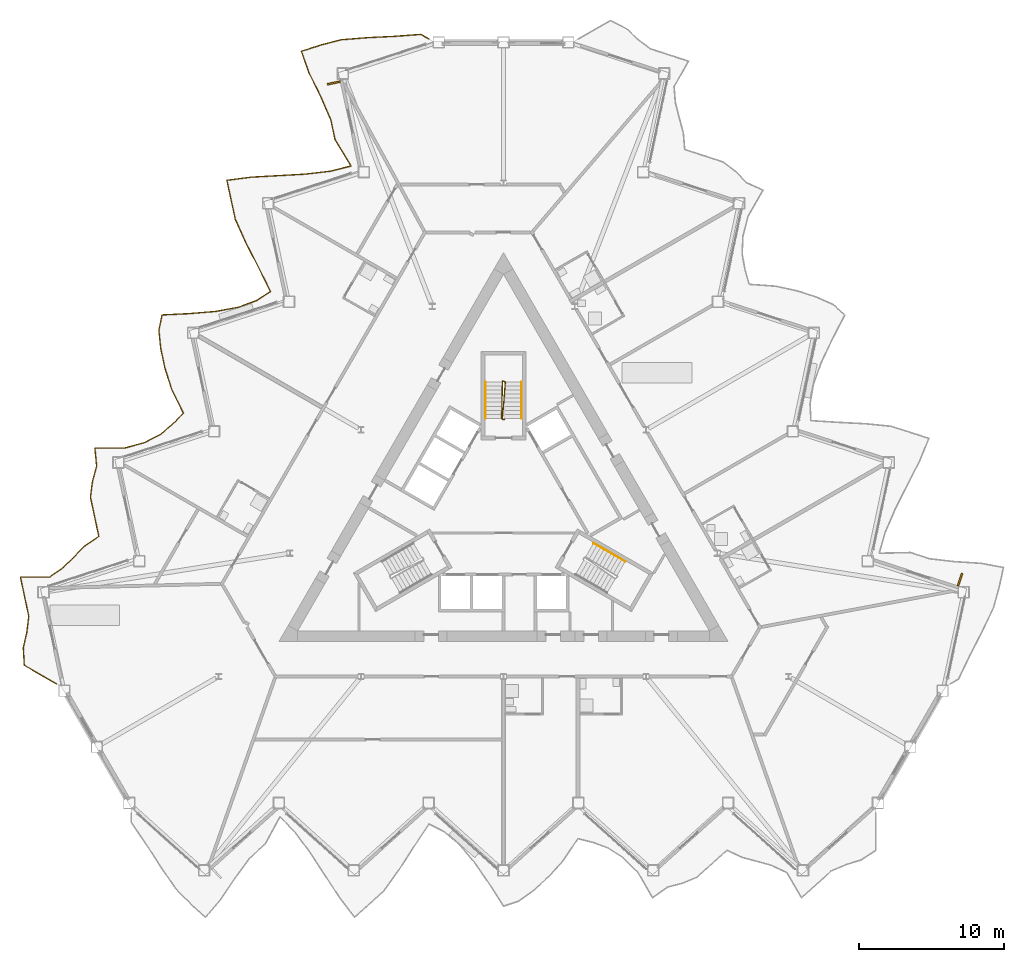
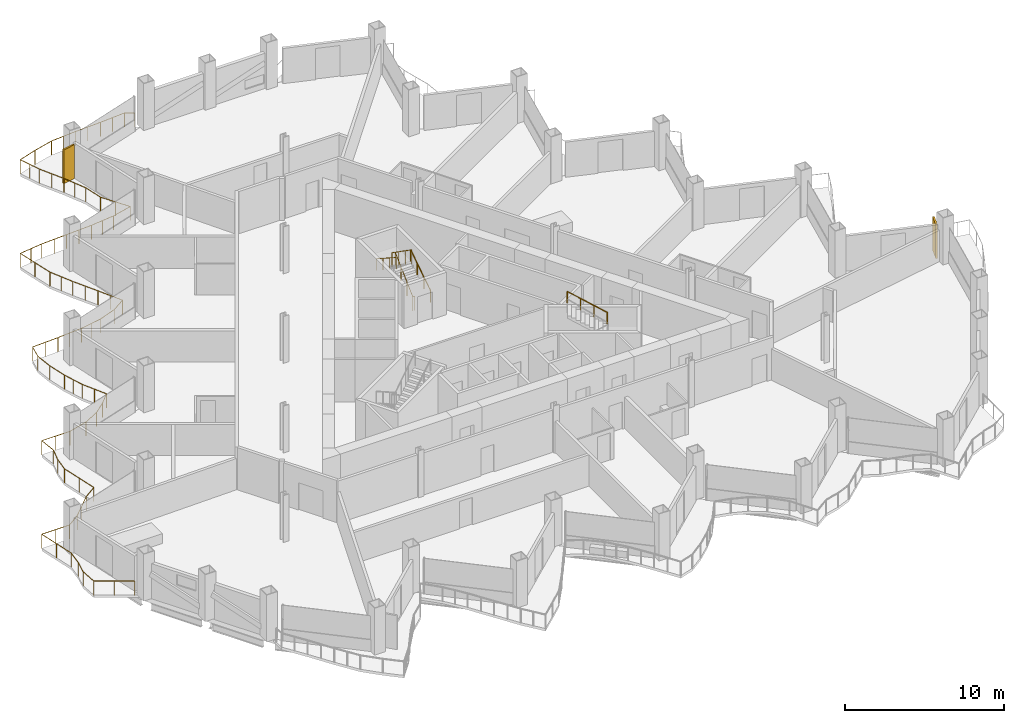
# One storey, part 19 of 22: 5 railings, 2 shading devices.
"""IFC4 building model written with IfcOpenShell, lengths in metres."""

from ifc_helpers import new_model, si_unit, direction, frame, origin, origin_2d, place, context, subcontext, project, spatial, rectangle, circle, extrude, material, layer, layer_set, type_object, element, save


model = new_model("IFC4")

# Units and contexts
model_context = context("Model", 3, precision=1e-05, world=origin(), true_north=direction((0.0, 1.0)))
body_context = subcontext(model_context, "Body", "Model", "MODEL_VIEW")
ifc_project = project(units=[si_unit("LENGTHUNIT", "METRE"), si_unit("AREAUNIT", "SQUARE_METRE"), si_unit("VOLUMEUNIT", "CUBIC_METRE"), si_unit("PLANEANGLEUNIT", "RADIAN"), si_unit("MASSUNIT", "GRAM", prefix="KILO")], contexts=[model_context])

# Site, building, storey
site_placement = place(None, origin())
site = spatial("IfcSite", under=ifc_project, at=site_placement, CompositionType="ELEMENT")
building_placement = place(site_placement, origin())
building = spatial("IfcBuilding", under=site, at=building_placement, Name="Cormorant Prow Tower", CompositionType="ELEMENT")
storey_placement = place(building_placement, frame((0.0, 0.0, 198.0)))
storey = spatial("IfcBuildingStorey", under=building, at=storey_placement, Name="L43", CompositionType="ELEMENT", Elevation=198.0)

# Railings
ifc_material_1 = material(Name="Aluminium 6063-T6", Category="aluminium")
railing_type_1 = type_object("IfcRailingType", Name="Balcony guard 1100", PredefinedType="GUARDRAIL", material=ifc_material_1)
railing_1_placement = place(storey_placement, frame((-5.148681640625, 32.639892578125, 0.0)))
element("IfcRailing", 1, at=railing_1_placement, inside=storey, type_object=railing_type_1, Name="Balcony guard WNW", PredefinedType="GUARDRAIL", context=body_context, shape_type="SweptSolid", body=[
    extrude(circle(Radius=0.02392578125, at=origin_2d()), frame((0.0, 0.0, 1.076171875), z_axis=(-0.866038622153, 0.499977104415, 0.0), x_axis=(-0.499977104415, -0.866038622153, 0.0)), (0.0, 0.0, 1.0), 0.63623046875),
    extrude(circle(Radius=0.02392578125, at=origin_2d()), frame((-0.551025390625, 0.318115234375, 1.076171875), z_axis=(-0.997242522475, -0.074211531238, 0.0), x_axis=(0.074211531238, -0.997242522475, 0.0)), (0.0, 0.0, 1.0), 1.825927734375),
    extrude(circle(Radius=0.02392578125, at=origin_2d()), frame((-2.371826171875, 0.1826171875, 1.076171875), z_axis=(-0.998823470509, -0.048494069334, 0.0), x_axis=(0.048494069334, -0.998823470509, 0.0)), (0.0, 0.0, 1.0), 1.89794921875),
    extrude(circle(Radius=0.02392578125, at=origin_2d()), frame((-4.267578125, 0.090576171875, 1.076171875), z_axis=(-0.996760989891, -0.080420948961, 0.0), x_axis=(0.080420948961, -0.996760989891, 0.0)), (0.0, 0.0, 1.0), 1.809326171875),
    extrude(circle(Radius=0.02392578125, at=origin_2d()), frame((-6.071044921875, -0.054931640625, 1.076171875), z_axis=(-0.967608412094, -0.2524558592, 0.0), x_axis=(0.2524558592, -0.967608412094, 0.0)), (0.0, 0.0, 1.0), 1.463134765625),
    extrude(circle(Radius=0.02392578125, at=origin_2d()), frame((-7.48681640625, -0.42431640625, 1.076171875), z_axis=(-0.951022391845, -0.309121998909, 0.0), x_axis=(0.309121998909, -0.951022391845, 0.0)), (0.0, 0.0, 1.0), 1.3828125),
    extrude(circle(Radius=0.02392578125, at=origin_2d()), frame((-8.802001953125, -0.851806640625, 1.076171875), z_axis=(0.332771631178, -0.943007445084, 0.0), x_axis=(0.943007445084, 0.332771631178, 0.0)), (0.0, 0.0, 1.0), 1.580322265625),
    extrude(circle(Radius=0.02392578125, at=origin_2d()), frame((-8.276123046875, -2.342041015625, 1.076171875), z_axis=(0.443787456964, -0.896132073436, 0.0), x_axis=(0.896132073436, 0.443787456964, 0.0)), (0.0, 0.0, 1.0), 1.8544921875),
    extrude(circle(Radius=0.02392578125, at=origin_2d()), frame((-7.453125, -4.00390625, 1.076171875), z_axis=(0.39655279315, -0.918011918357, 0.0), x_axis=(0.918011918357, 0.39655279315, 0.0)), (0.0, 0.0, 1.0), 1.721923828125),
    extrude(circle(Radius=0.02392578125, at=origin_2d()), frame((-6.770263671875, -5.584716796875, 1.076171875), z_axis=(0.207949539051, -0.978139555078, 0.0), x_axis=(0.978139555078, 0.207949539051, 0.0)), (0.0, 0.0, 1.0), 1.383056640625),
    extrude(circle(Radius=0.02392578125, at=origin_2d()), frame((-6.482666015625, -6.9375, 1.076171875), z_axis=(0.51860821438, -0.855011999903, 0.0), x_axis=(0.855011999903, 0.51860821438, 0.0)), (0.0, 0.0, 1.0), 2.1357421875),
    extrude(circle(Radius=0.02392578125, at=origin_2d()), frame((-5.375, -8.763671875, 1.076171875), z_axis=(-0.969967286185, -0.243235408052, 0.0), x_axis=(0.243235408052, -0.969967286185, 0.0)), (0.0, 0.0, 1.0), 1.4775390625),
    extrude(circle(Radius=0.02392578125, at=origin_2d()), frame((-6.80810546875, -9.123046875, 1.076171875), z_axis=(-0.993265315285, -0.115862044915, 0.0), x_axis=(0.115862044915, -0.993265315285, 0.0)), (0.0, 0.0, 1.0), 1.721435546875),
    extrude(circle(Radius=0.02392578125, at=origin_2d()), frame((-8.51806640625, -9.322509765625, 1.076171875), z_axis=(-0.998433411104, -0.055952869383, 0.0), x_axis=(0.055952869383, -0.998433411104, 0.0)), (0.0, 0.0, 1.0), 1.876220703125),
    extrude(circle(Radius=0.02392578125, at=origin_2d()), frame((-10.391357421875, -9.427490234375, 1.076171875), z_axis=(-0.998473917149, -0.055225327276, 0.0), x_axis=(0.055225327276, -0.998473917149, 0.0)), (0.0, 0.0, 1.0), 1.87890625),
    extrude(circle(Radius=0.02392578125, at=origin_2d()), frame((-12.267333984375, -9.53125, 1.076171875), z_axis=(-0.991411402956, -0.130780082923, 0.0), x_axis=(0.130780082923, -0.991411402956, 0.0)), (0.0, 0.0, 1.0), 1.6875),
    extrude(circle(Radius=0.02392578125, at=origin_2d()), frame((-13.9404296875, -9.751953125, 1.076171875), z_axis=(0.207985451478, -0.978131919515, 0.0), x_axis=(0.978131919515, 0.207985451478, 0.0)), (0.0, 0.0, 1.0), 1.3828125),
    extrude(circle(Radius=0.02392578125, at=origin_2d()), frame((-13.65283203125, -11.1044921875, 1.076171875), z_axis=(0.214701160667, -0.9766797897, 0.0), x_axis=(0.9766797897, 0.214701160667, 0.0)), (0.0, 0.0, 1.0), 1.391845703125),
    extrude(circle(Radius=0.02392578125, at=origin_2d()), frame((-13.35400390625, -12.4638671875, 1.076171875), z_axis=(0.413094281696, -0.910688264133, 0.0), x_axis=(0.910688264133, 0.413094281696, 0.0)), (0.0, 0.0, 1.0), 1.765380859375),
    extrude(circle(Radius=0.02392578125, at=origin_2d()), frame((-12.624755859375, -14.071533203125, 1.076171875), z_axis=(0.45514973484, -0.890414913888, 0.0), x_axis=(0.890414913888, 0.45514973484, 0.0)), (0.0, 0.0, 1.0), 1.890869140625),
    extrude(circle(Radius=0.02392578125, at=origin_2d()), frame((-11.76416015625, -15.755126953125, 1.076171875), z_axis=(0.445004946101, -0.895528111198, 0.0), x_axis=(0.895528111198, 0.445004946101, 0.0)), (0.0, 0.0, 1.0), 1.858154296875),
    extrude(circle(Radius=0.02392578125, at=origin_2d()), frame((-10.937255859375, -17.419189453125, 1.076171875), z_axis=(-0.837454583753, -0.546506925987, 0.0), x_axis=(0.546506925987, -0.837454583753, 0.0)), (0.0, 0.0, 1.0), 1.152099609375),
    extrude(circle(Radius=0.02392578125, at=origin_2d()), frame((-11.902099609375, -18.048828125, 1.076171875), z_axis=(-0.938221470965, -0.346035361518, 0.0), x_axis=(0.346035361518, -0.938221470965, 0.0)), (0.0, 0.0, 1.0), 1.3369140625),
    extrude(circle(Radius=0.02392578125, at=origin_2d()), frame((-13.156494140625, -18.511474609375, 1.076171875), z_axis=(-0.98375897947, -0.179494485466, 0.0), x_axis=(0.179494485466, -0.98375897947, 0.0)), (0.0, 0.0, 1.0), 1.58740234375),
    extrude(circle(Radius=0.02392578125, at=origin_2d()), frame((-14.718017578125, -18.79638671875, 1.076171875), z_axis=(-0.996586702739, -0.082552673638, 0.0), x_axis=(0.082552673638, -0.996586702739, 0.0)), (0.0, 0.0, 1.0), 1.803955078125),
    extrude(circle(Radius=0.02392578125, at=origin_2d()), frame((-16.515869140625, -18.9453125, 1.076171875), z_axis=(-0.998816623343, -0.048634894193, 0.0), x_axis=(0.048634894193, -0.998816623343, 0.0)), (0.0, 0.0, 1.0), 1.8974609375),
    extrude(circle(Radius=0.02392578125, at=origin_2d()), frame((-18.4111328125, -19.03759765625, 1.076171875), z_axis=(-0.206397409922, -0.978468246382, 0.0), x_axis=(0.978468246382, -0.206397409922, 0.0)), (0.0, 0.0, 1.0), 1.0810546875),
    extrude(circle(Radius=0.02392578125, at=origin_2d()), frame((-18.63427734375, -20.095458984375, 1.076171875), z_axis=(0.102761274758, -0.994706047237, 0.0), x_axis=(0.994706047237, 0.102761274758, 0.0)), (0.0, 0.0, 1.0), 1.268798828125),
    extrude(circle(Radius=0.02392578125, at=origin_2d()), frame((-18.50390625, -21.357421875, 1.076171875), z_axis=(0.207949539051, -0.978139555078, 0.0), x_axis=(0.978139555078, 0.207949539051, 0.0)), (0.0, 0.0, 1.0), 1.383056640625),
    extrude(circle(Radius=0.02392578125, at=origin_2d()), frame((-18.21630859375, -22.710205078125, 1.076171875), z_axis=(0.303626216772, -0.952791226077, 0.0), x_axis=(0.952791226077, 0.303626216772, 0.0)), (0.0, 0.0, 1.0), 1.526123046875),
    extrude(circle(Radius=0.02392578125, at=origin_2d()), frame((-17.7529296875, -24.164306640625, 1.076171875), z_axis=(0.437991459779, -0.898979132773, 0.0), x_axis=(0.898979132773, 0.437991459779, 0.0)), (0.0, 0.0, 1.0), 1.836669921875),
    extrude(circle(Radius=0.02392578125, at=origin_2d()), frame((-16.948486328125, -25.8154296875, 1.076171875), z_axis=(-0.69478777772, -0.719214810701, 0.0), x_axis=(0.719214810701, -0.69478777772, 0.0)), (0.0, 0.0, 1.0), 1.059326171875),
    extrude(circle(Radius=0.02392578125, at=origin_2d()), frame((-17.6845703125, -26.577392578125, 1.076171875), z_axis=(-0.767709135286, -0.640798473468, 0.0), x_axis=(0.640798473468, -0.767709135286, 0.0)), (0.0, 0.0, 1.0), 1.094482421875),
    extrude(circle(Radius=0.02392578125, at=origin_2d()), frame((-18.52490234375, -27.27880859375, 1.076171875), z_axis=(-0.887141360466, -0.461497786072, 0.0), x_axis=(0.461497786072, -0.887141360466, 0.0)), (0.0, 0.0, 1.0), 1.21875),
    extrude(circle(Radius=0.02392578125, at=origin_2d()), frame((-19.606201171875, -27.84130859375, 1.076171875), z_axis=(-0.96382778081, -0.266525812894, 0.0), x_axis=(0.266525812894, -0.96382778081, 0.0)), (0.0, 0.0, 1.0), 1.44189453125),
    extrude(circle(Radius=0.02392578125, at=origin_2d()), frame((-20.995849609375, -28.2255859375, 1.076171875), z_axis=(-0.999999653356, -0.000832639178, 0.0), x_axis=(0.000832639178, -0.999999653356, 0.0)), (0.0, 0.0, 1.0), 2.052490234375),
    extrude(circle(Radius=0.02392578125, at=origin_2d()), frame((-23.04833984375, -28.227294921875, 1.076171875), z_axis=(0.094480173238, -0.99552674342, 0.0), x_axis=(0.99552674342, 0.094480173238, 0.0)), (0.0, 0.0, 1.0), 1.260986328125),
    extrude(circle(Radius=0.02392578125, at=origin_2d()), frame((-22.92919921875, -29.482666015625, 1.076171875), z_axis=(-0.266754217581, -0.963764591279, 0.0), x_axis=(0.963764591279, -0.266754217581, 0.0)), (0.0, 0.0, 1.0), 1.061767578125),
    extrude(circle(Radius=0.02392578125, at=origin_2d()), frame((-23.21240234375, -30.505859375, 1.076171875), z_axis=(-0.128026984945, -0.991770684748, 0.0), x_axis=(0.991770684748, -0.128026984945, 0.0)), (0.0, 0.0, 1.0), 1.11376953125),
    extrude(circle(Radius=0.02392578125, at=origin_2d()), frame((-23.35498046875, -31.6103515625, 1.076171875), z_axis=(0.207985451478, -0.978131919515, 0.0), x_axis=(0.978131919515, 0.207985451478, 0.0)), (0.0, 0.0, 1.0), 1.3828125),
    extrude(circle(Radius=0.02392578125, at=origin_2d()), frame((-23.0673828125, -32.962890625, 1.076171875), z_axis=(0.207780635717, -0.978175448179, 0.0), x_axis=(0.978175448179, 0.207780635717, 0.0)), (0.0, 0.0, 1.0), 1.383056640625),
    extrude(circle(Radius=0.02392578125, at=origin_2d()), frame((-22.780029296875, -34.315673828125, 1.076171875), z_axis=(-0.822377714509, -0.568941908, 0.0), x_axis=(0.568941908, -0.822377714509, 0.0)), (0.0, 0.0, 1.0), 1.13671875),
    extrude(circle(Radius=0.02392578125, at=origin_2d()), frame((-23.71484375, -34.96240234375, 1.076171875), z_axis=(-0.7061881636, -0.708024206924, 0.0), x_axis=(0.708024206924, -0.7061881636, 0.0)), (0.0, 0.0, 1.0), 1.063720703125),
    extrude(circle(Radius=0.02392578125, at=origin_2d()), frame((-24.466064453125, -35.715576171875, 1.076171875), z_axis=(-0.713599333465, -0.700554060211, 0.0), x_axis=(0.700554060211, -0.713599333465, 0.0)), (0.0, 0.0, 1.0), 1.066650390625),
    extrude(circle(Radius=0.02392578125, at=origin_2d()), frame((-25.227294921875, -36.462890625, 1.076171875), z_axis=(-0.820009529366, -0.572349868306, 0.0), x_axis=(0.572349868306, -0.820009529366, 0.0)), (0.0, 0.0, 1.0), 1.134765625),
    extrude(circle(Radius=0.02392578125, at=origin_2d()), frame((-26.15771484375, -37.1123046875, 1.076171875), z_axis=(-0.99997218211, -0.007458887788, 0.0), x_axis=(0.007458887788, -0.99997218211, 0.0)), (0.0, 0.0, 1.0), 2.029296875),
    extrude(circle(Radius=0.02392578125, at=origin_2d()), frame((-28.18701171875, -37.12744140625, 1.076171875), z_axis=(0.207985451478, -0.978131919515, 0.0), x_axis=(0.978131919515, 0.207985451478, 0.0)), (0.0, 0.0, 1.0), 1.3828125),
    extrude(circle(Radius=0.02392578125, at=origin_2d()), frame((-27.8994140625, -38.47998046875, 1.076171875), z_axis=(0.207949539051, -0.978139555078, 0.0), x_axis=(0.978139555078, 0.207949539051, 0.0)), (0.0, 0.0, 1.0), 1.383056640625),
    extrude(circle(Radius=0.02392578125, at=origin_2d()), frame((-27.61181640625, -39.832763671875, 1.076171875), z_axis=(-0.119248565698, -0.992864431621, 0.0), x_axis=(0.992864431621, -0.119248565698, 0.0)), (0.0, 0.0, 1.0), 1.117919921875),
    extrude(circle(Radius=0.02392578125, at=origin_2d()), frame((-27.7451171875, -40.942626953125, 1.076171875), z_axis=(-0.225656072013, -0.974207029929, 0.0), x_axis=(0.974207029929, -0.225656072013, 0.0)), (0.0, 0.0, 1.0), 1.074462890625),
    extrude(circle(Radius=0.02392578125, at=origin_2d()), frame((-27.987548828125, -41.9892578125, 1.076171875), z_axis=(0.056240462281, -0.998417252657, 0.0), x_axis=(0.998417252657, 0.056240462281, 0.0)), (0.0, 0.0, 1.0), 1.228515625),
    extrude(circle(Radius=0.02392578125, at=origin_2d()), frame((-27.91845703125, -43.2158203125, 1.076171875), z_axis=(0.866013163002, -0.500021201058, 0.0), x_axis=(0.500021201058, 0.866013163002, 0.0)), (0.0, 0.0, 1.0), 2.5703125),
    extrude(circle(Radius=0.02099609375, at=origin_2d()), origin(), (0.0, 0.0, 1.0), 1.052001953125),
    extrude(circle(Radius=0.02099609375, at=origin_2d()), frame((-0.551025390625, 0.318115234375, 0.0)), (0.0, 0.0, 1.0), 1.052001953125),
    extrude(circle(Radius=0.02099609375, at=origin_2d()), frame((-1.46142578125, 0.25048828125, 0.0)), (0.0, 0.0, 1.0), 1.052001953125),
    extrude(circle(Radius=0.02099609375, at=origin_2d()), frame((-2.371826171875, 0.1826171875, 0.0)), (0.0, 0.0, 1.0), 1.052001953125),
    extrude(circle(Radius=0.02099609375, at=origin_2d()), frame((-3.31982421875, 0.13671875, 0.0)), (0.0, 0.0, 1.0), 1.052001953125),
    extrude(circle(Radius=0.02099609375, at=origin_2d()), frame((-4.267578125, 0.090576171875, 0.0)), (0.0, 0.0, 1.0), 1.052001953125),
    extrude(circle(Radius=0.02099609375, at=origin_2d()), frame((-5.16943359375, 0.017822265625, 0.0)), (0.0, 0.0, 1.0), 1.052001953125),
    extrude(circle(Radius=0.02099609375, at=origin_2d()), frame((-6.071044921875, -0.054931640625, 0.0)), (0.0, 0.0, 1.0), 1.052001953125),
    extrude(circle(Radius=0.02099609375, at=origin_2d()), frame((-7.48681640625, -0.42431640625, 0.0)), (0.0, 0.0, 1.0), 1.052001953125),
    extrude(circle(Radius=0.02099609375, at=origin_2d()), frame((-8.802001953125, -0.851806640625, 0.0)), (0.0, 0.0, 1.0), 1.052001953125),
    extrude(circle(Radius=0.02099609375, at=origin_2d()), frame((-8.5390625, -1.596923828125, 0.0)), (0.0, 0.0, 1.0), 1.052001953125),
    extrude(circle(Radius=0.02099609375, at=origin_2d()), frame((-8.276123046875, -2.342041015625, 0.0)), (0.0, 0.0, 1.0), 1.052001953125),
    extrude(circle(Radius=0.02099609375, at=origin_2d()), frame((-7.86474609375, -3.1728515625, 0.0)), (0.0, 0.0, 1.0), 1.052001953125),
    extrude(circle(Radius=0.02099609375, at=origin_2d()), frame((-7.453125, -4.00390625, 0.0)), (0.0, 0.0, 1.0), 1.052001953125),
    extrude(circle(Radius=0.02099609375, at=origin_2d()), frame((-7.11181640625, -4.79443359375, 0.0)), (0.0, 0.0, 1.0), 1.052001953125),
    extrude(circle(Radius=0.02099609375, at=origin_2d()), frame((-6.770263671875, -5.584716796875, 0.0)), (0.0, 0.0, 1.0), 1.052001953125),
    extrude(circle(Radius=0.02099609375, at=origin_2d()), frame((-6.482666015625, -6.9375, 0.0)), (0.0, 0.0, 1.0), 1.052001953125),
    extrude(circle(Radius=0.02099609375, at=origin_2d()), frame((-5.9287109375, -7.8505859375, 0.0)), (0.0, 0.0, 1.0), 1.052001953125),
    extrude(circle(Radius=0.02099609375, at=origin_2d()), frame((-5.375, -8.763671875, 0.0)), (0.0, 0.0, 1.0), 1.052001953125),
    extrude(circle(Radius=0.02099609375, at=origin_2d()), frame((-6.80810546875, -9.123046875, 0.0)), (0.0, 0.0, 1.0), 1.052001953125),
    extrude(circle(Radius=0.02099609375, at=origin_2d()), frame((-7.6630859375, -9.22265625, 0.0)), (0.0, 0.0, 1.0), 1.052001953125),
    extrude(circle(Radius=0.02099609375, at=origin_2d()), frame((-8.51806640625, -9.322509765625, 0.0)), (0.0, 0.0, 1.0), 1.052001953125),
    extrude(circle(Radius=0.02099609375, at=origin_2d()), frame((-9.45458984375, -9.375, 0.0)), (0.0, 0.0, 1.0), 1.052001953125),
    extrude(circle(Radius=0.02099609375, at=origin_2d()), frame((-10.391357421875, -9.427490234375, 0.0)), (0.0, 0.0, 1.0), 1.052001953125),
    extrude(circle(Radius=0.02099609375, at=origin_2d()), frame((-11.329345703125, -9.4794921875, 0.0)), (0.0, 0.0, 1.0), 1.052001953125),
    extrude(circle(Radius=0.02099609375, at=origin_2d()), frame((-12.267333984375, -9.53125, 0.0)), (0.0, 0.0, 1.0), 1.052001953125),
    extrude(circle(Radius=0.02099609375, at=origin_2d()), frame((-13.10400390625, -9.6416015625, 0.0)), (0.0, 0.0, 1.0), 1.052001953125),
    extrude(circle(Radius=0.02099609375, at=origin_2d()), frame((-13.9404296875, -9.751953125, 0.0)), (0.0, 0.0, 1.0), 1.052001953125),
    extrude(circle(Radius=0.02099609375, at=origin_2d()), frame((-13.65283203125, -11.1044921875, 0.0)), (0.0, 0.0, 1.0), 1.052001953125),
    extrude(circle(Radius=0.02099609375, at=origin_2d()), frame((-13.35400390625, -12.4638671875, 0.0)), (0.0, 0.0, 1.0), 1.052001953125),
    extrude(circle(Radius=0.02099609375, at=origin_2d()), frame((-12.9892578125, -13.267578125, 0.0)), (0.0, 0.0, 1.0), 1.052001953125),
    extrude(circle(Radius=0.02099609375, at=origin_2d()), frame((-12.624755859375, -14.071533203125, 0.0)), (0.0, 0.0, 1.0), 1.052001953125),
    extrude(circle(Radius=0.02099609375, at=origin_2d()), frame((-12.1943359375, -14.913330078125, 0.0)), (0.0, 0.0, 1.0), 1.052001953125),
    extrude(circle(Radius=0.02099609375, at=origin_2d()), frame((-11.76416015625, -15.755126953125, 0.0)), (0.0, 0.0, 1.0), 1.052001953125),
    extrude(circle(Radius=0.02099609375, at=origin_2d()), frame((-11.3505859375, -16.587158203125, 0.0)), (0.0, 0.0, 1.0), 1.052001953125),
    extrude(circle(Radius=0.02099609375, at=origin_2d()), frame((-10.937255859375, -17.419189453125, 0.0)), (0.0, 0.0, 1.0), 1.052001953125),
    extrude(circle(Radius=0.02099609375, at=origin_2d()), frame((-11.902099609375, -18.048828125, 0.0)), (0.0, 0.0, 1.0), 1.052001953125),
    extrude(circle(Radius=0.02099609375, at=origin_2d()), frame((-13.156494140625, -18.511474609375, 0.0)), (0.0, 0.0, 1.0), 1.052001953125),
    extrude(circle(Radius=0.02099609375, at=origin_2d()), frame((-13.937255859375, -18.65380859375, 0.0)), (0.0, 0.0, 1.0), 1.052001953125),
    extrude(circle(Radius=0.02099609375, at=origin_2d()), frame((-14.718017578125, -18.79638671875, 0.0)), (0.0, 0.0, 1.0), 1.052001953125),
    extrude(circle(Radius=0.02099609375, at=origin_2d()), frame((-15.616943359375, -18.870849609375, 0.0)), (0.0, 0.0, 1.0), 1.052001953125),
    extrude(circle(Radius=0.02099609375, at=origin_2d()), frame((-16.515869140625, -18.9453125, 0.0)), (0.0, 0.0, 1.0), 1.052001953125),
    extrude(circle(Radius=0.02099609375, at=origin_2d()), frame((-17.46337890625, -18.991455078125, 0.0)), (0.0, 0.0, 1.0), 1.052001953125),
    extrude(circle(Radius=0.02099609375, at=origin_2d()), frame((-18.4111328125, -19.03759765625, 0.0)), (0.0, 0.0, 1.0), 1.052001953125),
    extrude(circle(Radius=0.02099609375, at=origin_2d()), frame((-18.63427734375, -20.095458984375, 0.0)), (0.0, 0.0, 1.0), 1.052001953125),
    extrude(circle(Radius=0.02099609375, at=origin_2d()), frame((-18.50390625, -21.357421875, 0.0)), (0.0, 0.0, 1.0), 1.052001953125),
    extrude(circle(Radius=0.02099609375, at=origin_2d()), frame((-18.21630859375, -22.710205078125, 0.0)), (0.0, 0.0, 1.0), 1.052001953125),
    extrude(circle(Radius=0.02099609375, at=origin_2d()), frame((-17.984619140625, -23.437255859375, 0.0)), (0.0, 0.0, 1.0), 1.052001953125),
    extrude(circle(Radius=0.02099609375, at=origin_2d()), frame((-17.7529296875, -24.164306640625, 0.0)), (0.0, 0.0, 1.0), 1.052001953125),
    extrude(circle(Radius=0.02099609375, at=origin_2d()), frame((-17.3505859375, -24.98974609375, 0.0)), (0.0, 0.0, 1.0), 1.052001953125),
    extrude(circle(Radius=0.02099609375, at=origin_2d()), frame((-16.948486328125, -25.8154296875, 0.0)), (0.0, 0.0, 1.0), 1.052001953125),
    extrude(circle(Radius=0.02099609375, at=origin_2d()), frame((-17.6845703125, -26.577392578125, 0.0)), (0.0, 0.0, 1.0), 1.052001953125),
    extrude(circle(Radius=0.02099609375, at=origin_2d()), frame((-18.52490234375, -27.27880859375, 0.0)), (0.0, 0.0, 1.0), 1.052001953125),
    extrude(circle(Radius=0.02099609375, at=origin_2d()), frame((-19.606201171875, -27.84130859375, 0.0)), (0.0, 0.0, 1.0), 1.052001953125),
    extrude(circle(Radius=0.02099609375, at=origin_2d()), frame((-20.995849609375, -28.2255859375, 0.0)), (0.0, 0.0, 1.0), 1.052001953125),
    extrude(circle(Radius=0.02099609375, at=origin_2d()), frame((-22.02197265625, -28.2265625, 0.0)), (0.0, 0.0, 1.0), 1.052001953125),
    extrude(circle(Radius=0.02099609375, at=origin_2d()), frame((-23.04833984375, -28.227294921875, 0.0)), (0.0, 0.0, 1.0), 1.052001953125),
    extrude(circle(Radius=0.02099609375, at=origin_2d()), frame((-22.92919921875, -29.482666015625, 0.0)), (0.0, 0.0, 1.0), 1.052001953125),
    extrude(circle(Radius=0.02099609375, at=origin_2d()), frame((-23.21240234375, -30.505859375, 0.0)), (0.0, 0.0, 1.0), 1.052001953125),
    extrude(circle(Radius=0.02099609375, at=origin_2d()), frame((-23.35498046875, -31.6103515625, 0.0)), (0.0, 0.0, 1.0), 1.052001953125),
    extrude(circle(Radius=0.02099609375, at=origin_2d()), frame((-23.0673828125, -32.962890625, 0.0)), (0.0, 0.0, 1.0), 1.052001953125),
    extrude(circle(Radius=0.02099609375, at=origin_2d()), frame((-22.780029296875, -34.315673828125, 0.0)), (0.0, 0.0, 1.0), 1.052001953125),
    extrude(circle(Radius=0.02099609375, at=origin_2d()), frame((-23.71484375, -34.96240234375, 0.0)), (0.0, 0.0, 1.0), 1.052001953125),
    extrude(circle(Radius=0.02099609375, at=origin_2d()), frame((-24.466064453125, -35.715576171875, 0.0)), (0.0, 0.0, 1.0), 1.052001953125),
    extrude(circle(Radius=0.02099609375, at=origin_2d()), frame((-25.227294921875, -36.462890625, 0.0)), (0.0, 0.0, 1.0), 1.052001953125),
    extrude(circle(Radius=0.02099609375, at=origin_2d()), frame((-26.15771484375, -37.1123046875, 0.0)), (0.0, 0.0, 1.0), 1.052001953125),
    extrude(circle(Radius=0.02099609375, at=origin_2d()), frame((-27.17236328125, -37.119873046875, 0.0)), (0.0, 0.0, 1.0), 1.052001953125),
    extrude(circle(Radius=0.02099609375, at=origin_2d()), frame((-28.18701171875, -37.12744140625, 0.0)), (0.0, 0.0, 1.0), 1.052001953125),
    extrude(circle(Radius=0.02099609375, at=origin_2d()), frame((-27.8994140625, -38.47998046875, 0.0)), (0.0, 0.0, 1.0), 1.052001953125),
    extrude(circle(Radius=0.02099609375, at=origin_2d()), frame((-27.61181640625, -39.832763671875, 0.0)), (0.0, 0.0, 1.0), 1.052001953125),
    extrude(circle(Radius=0.02099609375, at=origin_2d()), frame((-27.7451171875, -40.942626953125, 0.0)), (0.0, 0.0, 1.0), 1.052001953125),
    extrude(circle(Radius=0.02099609375, at=origin_2d()), frame((-27.987548828125, -41.9892578125, 0.0)), (0.0, 0.0, 1.0), 1.052001953125),
    extrude(circle(Radius=0.02099609375, at=origin_2d()), frame((-27.91845703125, -43.2158203125, 0.0)), (0.0, 0.0, 1.0), 1.052001953125),
    extrude(circle(Radius=0.02099609375, at=origin_2d()), frame((-26.8056640625, -43.8583984375, 0.0)), (0.0, 0.0, 1.0), 1.052001953125),
    extrude(circle(Radius=0.02099609375, at=origin_2d()), frame((-25.692626953125, -44.5009765625, 0.0)), (0.0, 0.0, 1.0), 1.052001953125),
])
ifc_material_2 = material(Name="Stainless steel", Category="steel")
railing_type_2 = type_object("IfcRailingType", Name="Stair guard 1100", PredefinedType="GUARDRAIL", material=ifc_material_2)
railing_2_placement = place(storey_placement, frame((0.074951171875, 6.40576171875, 0.0)))
element("IfcRailing", 2, at=railing_2_placement, inside=storey, type_object=railing_type_2, Name="L43 ST3 stair guard 1", PredefinedType="GUARDRAIL", context=body_context, shape_type="SweptSolid", body=[
    extrude(circle(Radius=0.02392578125, at=origin_2d()), frame((0.0, 0.0, 1.076171875), z_axis=(-1.0, 0.0, 0.0), x_axis=(0.0, -1.0, 0.0)), (0.0, 0.0, 1.0), 0.14990234375),
    extrude(circle(Radius=0.02392578125, at=origin_2d()), frame((-0.14990234375, 0.0, 1.076171875), z_axis=(0.063595540489, 0.817423998443, 0.572515164864), x_axis=(-0.996987254287, 0.077565551559, 0.0)), (0.0, 0.0, 1.0), 3.14404296875),
    extrude(circle(Radius=0.02392578125, at=origin_2d()), frame((0.050048828125, 2.570068359375, 2.8759765625), z_axis=(-0.970072785993, 0.242814311512, 0.0), x_axis=(-0.242814311512, -0.970072785993, 0.0)), (0.0, 0.0, 1.0), 0.2060546875),
    extrude(circle(Radius=0.02392578125, at=origin_2d()), frame((-0.14990234375, 2.6201171875, 2.8759765625), z_axis=(-0.01594855688, -0.818977845239, 0.573603462805), x_axis=(0.999810440751, -0.019470042781, 0.0)), (0.0, 0.0, 1.0), 3.13818359375),
    extrude(circle(Radius=0.02099609375, at=origin_2d()), origin(), (0.0, 0.0, 1.0), 1.052001953125),
    extrude(circle(Radius=0.02099609375, at=origin_2d()), frame((-0.14990234375, 0.0, 0.0)), (0.0, 0.0, 1.0), 1.052001953125),
    extrude(circle(Radius=0.02099609375, at=origin_2d()), frame((-0.083251953125, 0.856689453125, 0.60009765625)), (0.0, 0.0, 1.0), 1.052001953125),
    extrude(circle(Radius=0.02099609375, at=origin_2d()), frame((-0.0166015625, 1.71337890625, 1.199951171875)), (0.0, 0.0, 1.0), 1.052001953125),
    extrude(circle(Radius=0.02099609375, at=origin_2d()), frame((0.050048828125, 2.570068359375, 1.800048828125)), (0.0, 0.0, 1.0), 1.052001953125),
    extrude(circle(Radius=0.02099609375, at=origin_2d()), frame((-0.14990234375, 2.6201171875, 1.800048828125)), (0.0, 0.0, 1.0), 1.052001953125),
    extrude(circle(Radius=0.02099609375, at=origin_2d()), frame((-0.16650390625, 1.763427734375, 2.400146484375)), (0.0, 0.0, 1.0), 1.052001953125),
    extrude(circle(Radius=0.02099609375, at=origin_2d()), frame((-0.183349609375, 0.90673828125, 3.0)), (0.0, 0.0, 1.0), 1.052001953125),
    extrude(circle(Radius=0.02099609375, at=origin_2d()), frame((-0.199951171875, 0.050048828125, 3.60009765625)), (0.0, 0.0, 1.0), 1.052001953125),
])
ifc_material_3 = material(Name="Stainless steel", Category="steel")
railing_type_3 = type_object("IfcRailingType", Name="Stair handrail 900", PredefinedType="HANDRAIL", material=ifc_material_3)
railing_3_placement = place(storey_placement, frame((8.395263671875, -3.41064453125, 1.97998046875)))
element("IfcRailing", 3, at=railing_3_placement, inside=storey, type_object=railing_type_3, Name="L43 ST2 stair handrail 2", PredefinedType="HANDRAIL", context=body_context, shape_type="SweptSolid", body=[
    extrude(circle(Radius=0.02392578125, at=origin_2d()), frame((0.0, 0.0, 0.8759765625), z_axis=(-0.728463801763, 0.420584145978, 0.540785970299), x_axis=(-0.500004791531, -0.866022637375, 0.0)), (0.0, 0.0, 1.0), 2.995849609375),
    extrude(circle(Radius=0.02099609375, at=origin_2d()), origin(), (0.0, 0.0, 1.0), 0.851806640625),
    extrude(circle(Radius=0.02099609375, at=origin_2d()), frame((-0.7275390625, 0.419921875, 0.5400390625)), (0.0, 0.0, 1.0), 0.851806640625),
    extrude(circle(Radius=0.02099609375, at=origin_2d()), frame((-1.454833984375, 0.840087890625, 1.080078125)), (0.0, 0.0, 1.0), 0.851806640625),
    extrude(circle(Radius=0.02099609375, at=origin_2d()), frame((-2.182373046875, 1.260009765625, 1.6201171875)), (0.0, 0.0, 1.0), 0.851806640625),
])
railing_4_placement = place(storey_placement, frame((1.243896484375, 6.455810546875, 0.179931640625)))
element("IfcRailing", 4, at=railing_4_placement, inside=storey, type_object=railing_type_3, Name="L43 ST3 stair handrail 1", PredefinedType="HANDRAIL", context=body_context, shape_type="SweptSolid", body=[
    extrude(circle(Radius=0.02392578125, at=origin_2d()), frame((0.0, 0.0, 0.8759765625), z_axis=(0.0, 0.841162588446, 0.540782303519), x_axis=(-1.0, 0.0, 0.0)), (0.0, 0.0, 1.0), 2.995849609375),
    extrude(circle(Radius=0.02099609375, at=origin_2d()), origin(), (0.0, 0.0, 1.0), 0.851806640625),
    extrude(circle(Radius=0.02099609375, at=origin_2d()), frame((0.0, 0.840087890625, 0.5400390625)), (0.0, 0.0, 1.0), 0.851806640625),
    extrude(circle(Radius=0.02099609375, at=origin_2d()), frame((0.0, 1.679931640625, 1.080078125)), (0.0, 0.0, 1.0), 0.851806640625),
    extrude(circle(Radius=0.02099609375, at=origin_2d()), frame((0.0, 2.52001953125, 1.6201171875)), (0.0, 0.0, 1.0), 0.851806640625),
])
railing_5_placement = place(storey_placement, frame((-1.243896484375, 8.975830078125, 1.97998046875)))
element("IfcRailing", 5, at=railing_5_placement, inside=storey, type_object=railing_type_3, Name="L43 ST3 stair handrail 2", PredefinedType="HANDRAIL", context=body_context, shape_type="SweptSolid", body=[
    extrude(circle(Radius=0.02392578125, at=origin_2d()), frame((0.0, 0.0, 0.8759765625), z_axis=(0.0, -0.841162588446, 0.540782303519), x_axis=(1.0, 0.0, 0.0)), (0.0, 0.0, 1.0), 2.995849609375),
    extrude(circle(Radius=0.02099609375, at=origin_2d()), origin(), (0.0, 0.0, 1.0), 0.851806640625),
    extrude(circle(Radius=0.02099609375, at=origin_2d()), frame((0.0, -0.840087890625, 0.5400390625)), (0.0, 0.0, 1.0), 0.851806640625),
    extrude(circle(Radius=0.02099609375, at=origin_2d()), frame((0.0, -1.679931640625, 1.080078125)), (0.0, 0.0, 1.0), 0.851806640625),
    extrude(circle(Radius=0.02099609375, at=origin_2d()), frame((0.0, -2.52001953125, 1.6201171875)), (0.0, 0.0, 1.0), 0.851806640625),
])

# Shading devices
ifc_material_4 = material(Name="Terracotta", Category="masonry")
ifc_layer = layer(ifc_material_4, 0.1201171875)
ifc_layer_set = layer_set([ifc_layer], Name="Terracotta")
shading_device_type = type_object("IfcShadingDeviceType", Name="Terracotta baguette fin 120x900x2600", PredefinedType="USERDEFINED", material=ifc_layer_set)
for number, where, z_axis, x_axis, name in (
    (6, (31.49169921875, -4.66552734375, 0.0), (0.0, 0.0, 1.0), (-0.951056477458, 0.309017113905, 0.0), "Baguette fin ENE01"),
    (7, (-11.70556640625, 29.60546875, 0.0), (0.0, 0.0, 1.0), (0.207911659303, -0.978147607432, 0.0), "Baguette fin WNW01"),
):
    element("IfcShadingDevice", number, at=place(storey_placement, frame(where, z_axis=z_axis, x_axis=x_axis)), inside=storey, type_object=shading_device_type, Name=name, ObjectType="BAGUETTE", PredefinedType="USERDEFINED", context=body_context, shape_type="SweptSolid", body=[
        extrude(rectangle(XDim=0.1201171875, YDim=0.89990234375, at=origin_2d()), origin(), (0.0, 0.0, 1.0), 2.60009765625),
    ])

save(model, "model.ifc")
